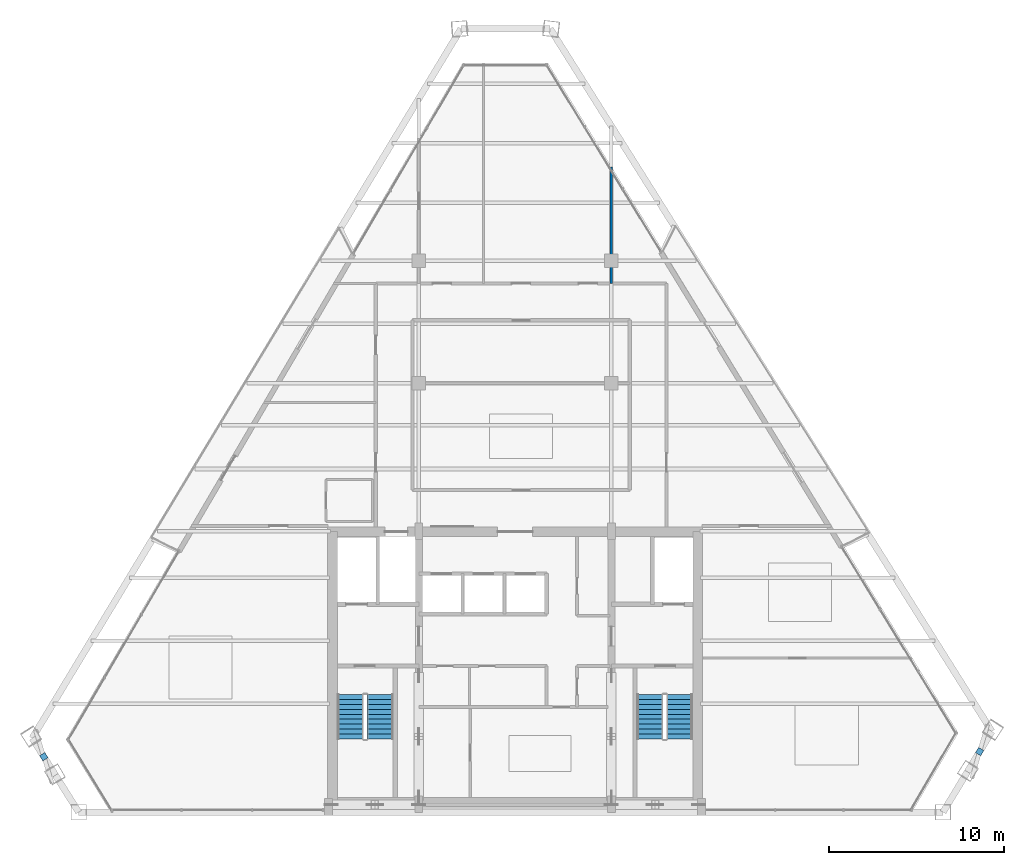
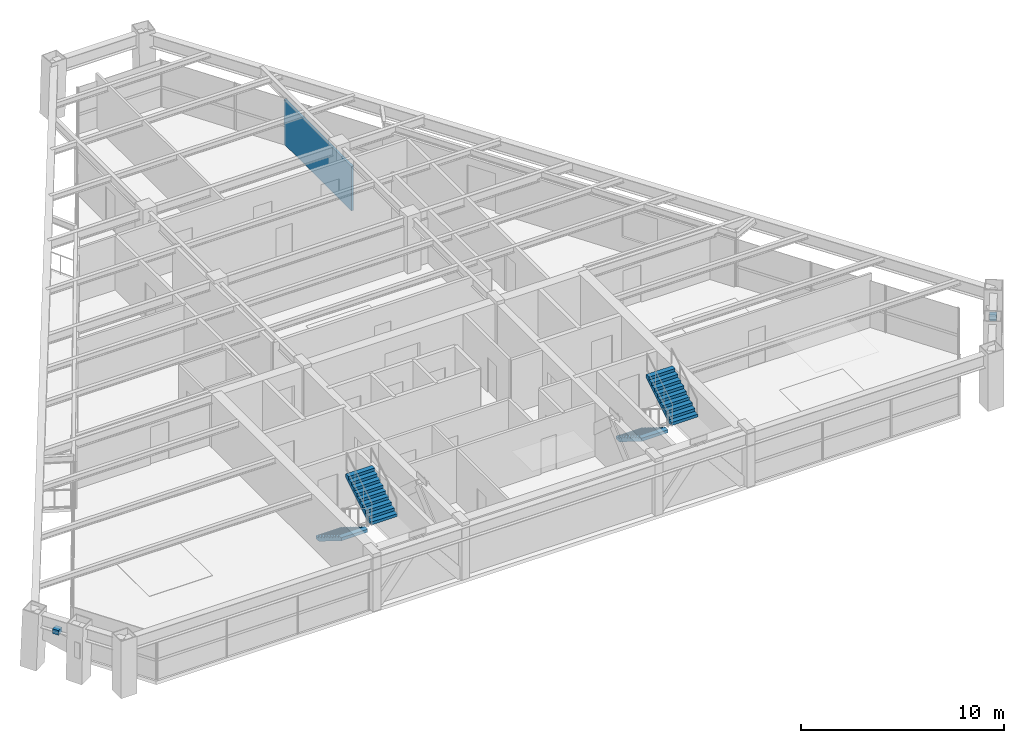
# One storey, part 11 of 13: 4 stair flights, 2 discrete accessories, 1 wall, 2 elements without a shape of their own.
"""IFC4 building model written with IfcOpenShell, lengths in metres."""

from ifc_helpers import new_model, si_unit, direction, frame, frame_2d, origin, origin_2d, place, context, subcontext, project, spatial, polyline, rectangle, outline, extrude, source, transform, mapped, material, layer, layer_set, type_object, type_shapes, element, aggregate, save


model = new_model("IFC4")

# Units and contexts
model_context = context("Model", 3, precision=1e-05, world=origin(), true_north=direction((0.0, 1.0)))
body_context = subcontext(model_context, "Body", "Model", "MODEL_VIEW")
ifc_project = project(units=[si_unit("LENGTHUNIT", "METRE"), si_unit("AREAUNIT", "SQUARE_METRE"), si_unit("VOLUMEUNIT", "CUBIC_METRE"), si_unit("PLANEANGLEUNIT", "RADIAN"), si_unit("MASSUNIT", "GRAM", prefix="KILO")], contexts=[model_context])

# Site, building, storey
site_placement = place(None, origin())
site = spatial("IfcSite", under=ifc_project, at=site_placement, CompositionType="ELEMENT")
building_placement = place(site_placement, origin())
building = spatial("IfcBuilding", under=site, at=building_placement, Name="Varnakhor Terracotta Tower", CompositionType="ELEMENT")
storey_placement = place(building_placement, frame((0.0, 0.0, 247.60009765625)))
storey = spatial("IfcBuildingStorey", under=building, at=storey_placement, Name="L64", CompositionType="ELEMENT", Elevation=247.60009765625)

# Wall
ifc_material_1 = material(Name="Acoustic Hotel Room Partition", Category="gypsum")
ifc_layer = layer(ifc_material_1, 0.1298828125, Name="Acoustic Hotel Room Partition")
ifc_layer_set = layer_set([ifc_layer], Name="Acoustic Hotel Room Partition")
wall_type = type_object("IfcWallType", Name="WAL-PART-130", PredefinedType="PARTITIONING", material=ifc_layer_set)
wall_placement = place(storey_placement, frame((5.5, 30.199951171875, 0.0), z_axis=(0.0, 0.0, 1.0), x_axis=(0.0, 1.0, 0.0)))
element("IfcWall", 1, at=wall_placement, inside=storey, type_object=wall_type, Name="L64 North East Column Wall", PredefinedType="PARTITIONING", context=body_context, shape_type="SweptSolid", body=[
    extrude(rectangle(XDim=6.648681640625, YDim=0.1298828125, at=frame_2d((3.32421875, 0.0))), origin(), (0.0, 0.0, 1.0), 2.682861328125),
])

# Stair, stair flights
ifc_material_2 = material(Name="Concrete C40/50", Category="concrete")
stair_type = type_object("IfcStairType", Name="STR-CORE-HOTEL-1500", PredefinedType="HALF_TURN_STAIR", material=ifc_material_2)
stair_1_placement = place(storey_placement, origin())
stair_1 = element("IfcStair", 2, at=stair_1_placement, inside=storey, type_object=stair_type, Name="L64 Core Exit Stair ST-1", PredefinedType="HALF_TURN_STAIR")
stair_flight_type = type_object("IfcStairFlightType", Name="FLT-HOTEL-1500", PredefinedType="STRAIGHT", material=ifc_material_2)
stair_flight_1_placement = place(storey_placement, frame((-9.39990234375, 6.7099609375, 0.0), z_axis=(0.0, 0.0, 1.0), x_axis=(0.0, -1.0, 0.0)))
stair_flight_1 = element("IfcStairFlight", 3, at=stair_flight_1_placement, type_object=stair_flight_type, Name="ST-1 flight 1", NumberOfRisers=10, NumberOfTreads=9, PredefinedType="STRAIGHT", RiserHeight=0.1725, TreadLength=0.28, context=body_context, shape_type="SweptSolid", body=[
    extrude(outline(polyline([(0.0, 0.0), (0.0, 0.172607421875), (0.280029296875, 0.172607421875), (0.280029296875, 0.344970703125), (0.56005859375, 0.344970703125), (0.56005859375, 0.517578125), (0.840087890625, 0.517578125), (0.840087890625, 0.68994140625), (1.1201171875, 0.68994140625), (1.1201171875, 0.862548828125), (1.39990234375, 0.862548828125), (1.39990234375, 1.034912109375), (1.679931640625, 1.034912109375), (1.679931640625, 1.20751953125), (1.9599609375, 1.20751953125), (1.9599609375, 1.3798828125), (2.239990234375, 1.3798828125), (2.239990234375, 1.552490234375), (2.52001953125, 1.552490234375), (2.52001953125, 1.72509765625), (2.52001953125, 1.36474609375), (0.304931640625, 0.0), (0.0, 0.0)])), frame((0.0, 0.75, 0.0), z_axis=(0.0, -1.0, 0.0), x_axis=(1.0, 0.0, 0.0)), (0.0, 0.0, 1.0), 1.5),
])
stair_flight_2_placement = place(storey_placement, frame((-7.699951171875, 4.18994140625, 1.724853515625), z_axis=(0.0, 0.0, 1.0), x_axis=(0.0, 1.0, 0.0)))
stair_flight_2 = element("IfcStairFlight", 4, at=stair_flight_2_placement, type_object=stair_flight_type, Name="ST-1 flight 2", NumberOfRisers=10, NumberOfTreads=9, PredefinedType="STRAIGHT", RiserHeight=0.1725, TreadLength=0.28, context=body_context, shape_type="SweptSolid", body=[
    extrude(outline(polyline([(0.0, 0.0), (0.0, 0.172607421875), (0.280029296875, 0.172607421875), (0.280029296875, 0.344970703125), (0.56005859375, 0.344970703125), (0.56005859375, 0.517578125), (0.840087890625, 0.517578125), (0.840087890625, 0.68994140625), (1.1201171875, 0.68994140625), (1.1201171875, 0.862548828125), (1.39990234375, 0.862548828125), (1.39990234375, 1.034912109375), (1.679931640625, 1.034912109375), (1.679931640625, 1.20751953125), (1.9599609375, 1.20751953125), (1.9599609375, 1.3798828125), (2.239990234375, 1.3798828125), (2.239990234375, 1.552490234375), (2.52001953125, 1.552490234375), (2.52001953125, 1.72509765625), (2.52001953125, 1.36474609375), (0.304931640625, 0.0), (0.0, 0.0)])), frame((0.0, 0.75, 0.0), z_axis=(0.0, -1.0, 0.0), x_axis=(1.0, 0.0, 0.0)), (0.0, 0.0, 1.0), 1.5),
])
aggregate(stair_1, [stair_flight_1, stair_flight_2])

stair_2_placement = place(storey_placement, origin())
stair_2 = element("IfcStair", 5, at=stair_2_placement, inside=storey, type_object=stair_type, Name="L64 Core Exit Stair ST-2", PredefinedType="HALF_TURN_STAIR")
stair_flight_3_placement = place(storey_placement, frame((7.699951171875, 6.7099609375, 0.0), z_axis=(0.0, 0.0, 1.0), x_axis=(0.0, -1.0, 0.0)))
stair_flight_3 = element("IfcStairFlight", 6, at=stair_flight_3_placement, type_object=stair_flight_type, Name="ST-2 flight 1", NumberOfRisers=10, NumberOfTreads=9, PredefinedType="STRAIGHT", RiserHeight=0.1725, TreadLength=0.28, context=body_context, shape_type="SweptSolid", body=[
    extrude(outline(polyline([(0.0, 0.0), (0.0, 0.172607421875), (0.280029296875, 0.172607421875), (0.280029296875, 0.344970703125), (0.56005859375, 0.344970703125), (0.56005859375, 0.517578125), (0.840087890625, 0.517578125), (0.840087890625, 0.68994140625), (1.1201171875, 0.68994140625), (1.1201171875, 0.862548828125), (1.39990234375, 0.862548828125), (1.39990234375, 1.034912109375), (1.679931640625, 1.034912109375), (1.679931640625, 1.20751953125), (1.9599609375, 1.20751953125), (1.9599609375, 1.3798828125), (2.239990234375, 1.3798828125), (2.239990234375, 1.552490234375), (2.52001953125, 1.552490234375), (2.52001953125, 1.72509765625), (2.52001953125, 1.36474609375), (0.304931640625, 0.0), (0.0, 0.0)])), frame((0.0, 0.75, 0.0), z_axis=(0.0, -1.0, 0.0), x_axis=(1.0, 0.0, 0.0)), (0.0, 0.0, 1.0), 1.5),
])
stair_flight_4_placement = place(storey_placement, frame((9.39990234375, 4.18994140625, 1.724853515625), z_axis=(0.0, 0.0, 1.0), x_axis=(0.0, 1.0, 0.0)))
stair_flight_4 = element("IfcStairFlight", 7, at=stair_flight_4_placement, type_object=stair_flight_type, Name="ST-2 flight 2", NumberOfRisers=10, NumberOfTreads=9, PredefinedType="STRAIGHT", RiserHeight=0.1725, TreadLength=0.28, context=body_context, shape_type="SweptSolid", body=[
    extrude(outline(polyline([(0.0, 0.0), (0.0, 0.172607421875), (0.280029296875, 0.172607421875), (0.280029296875, 0.344970703125), (0.56005859375, 0.344970703125), (0.56005859375, 0.517578125), (0.840087890625, 0.517578125), (0.840087890625, 0.68994140625), (1.1201171875, 0.68994140625), (1.1201171875, 0.862548828125), (1.39990234375, 0.862548828125), (1.39990234375, 1.034912109375), (1.679931640625, 1.034912109375), (1.679931640625, 1.20751953125), (1.9599609375, 1.20751953125), (1.9599609375, 1.3798828125), (2.239990234375, 1.3798828125), (2.239990234375, 1.552490234375), (2.52001953125, 1.552490234375), (2.52001953125, 1.72509765625), (2.52001953125, 1.36474609375), (0.304931640625, 0.0), (0.0, 0.0)])), frame((0.0, 0.75, 0.0), z_axis=(0.0, -1.0, 0.0), x_axis=(1.0, 0.0, 0.0)), (0.0, 0.0, 1.0), 1.5),
])
aggregate(stair_2, [stair_flight_3, stair_flight_4])

# Discrete accessories
ifc_material_3 = material(Name="Stainless Steel Fixing Bracket", Category="steel")
discrete_accessory_type = type_object("IfcDiscreteAccessoryType", Name="BRACKET-TERRACOTTA-SCREEN", PredefinedType="BRACKET", material=ifc_material_3)
shared_shape = source(origin(), body_context, "Body", "SweptSolid", [
    extrude(rectangle(XDim=0.35009765625, YDim=0.35009765625, at=origin_2d()), origin(), (0.0, 0.0, 1.0), 0.280029296875),
])
type_shapes(discrete_accessory_type, [shared_shape])
for number, where, z_axis, x_axis, name in (
    (8, (26.53271484375, 3.46044921875, 2.3369140625), (0.0, 0.0, 1.0), (0.5172654292, 0.855825026366, 0.0), "L64 E Screen Fixing Bracket"),
    (9, (-26.9130859375, 3.168212890625, 2.3369140625), (0.0, 0.0, 1.0), (0.532167184028, -0.846639290515, 0.0), "L64 W Screen Fixing Bracket"),
):
    element("IfcDiscreteAccessory", number, at=place(storey_placement, frame(where, z_axis=z_axis, x_axis=x_axis)), inside=storey, type_object=discrete_accessory_type, Name=name, PredefinedType="BRACKET", context=body_context, shape_type="MappedRepresentation", body=[
        mapped(shared_shape, transform((0.0, 0.0, 0.0), scale=1.0)),
    ])

save(model, "model.ifc")
